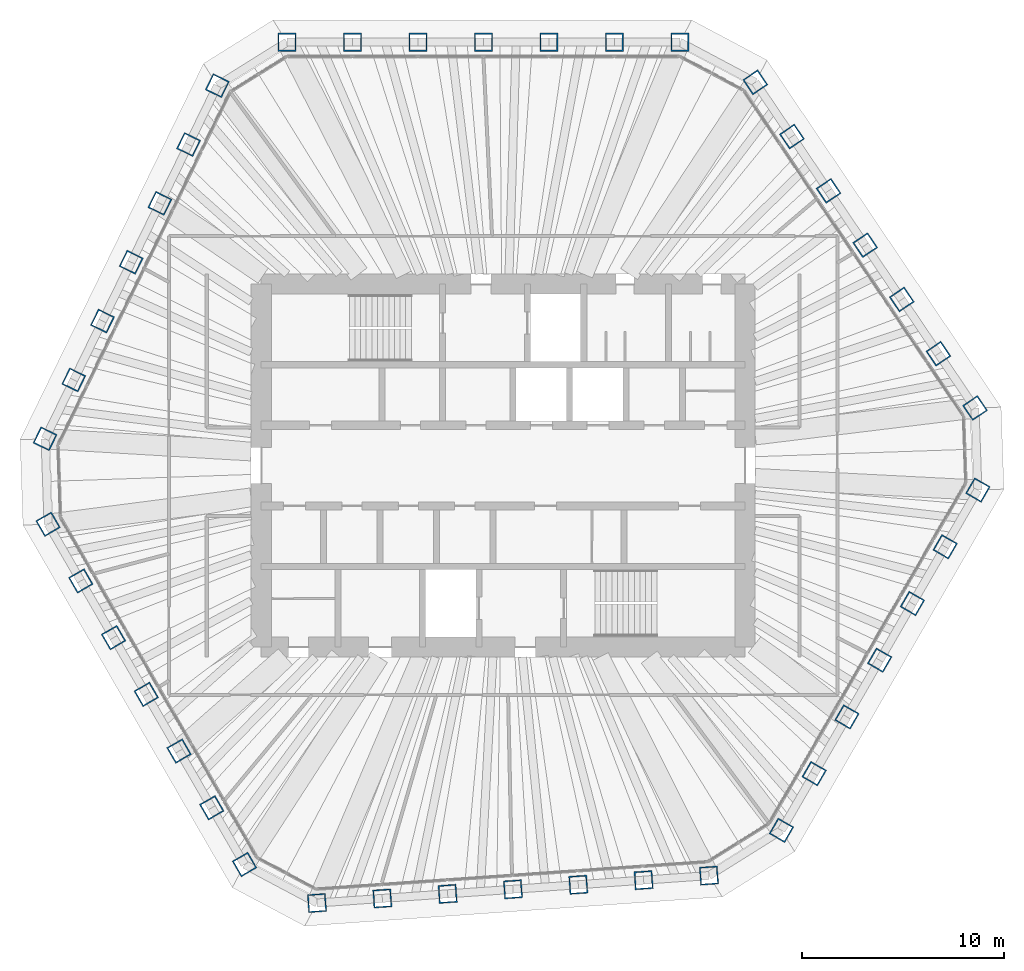
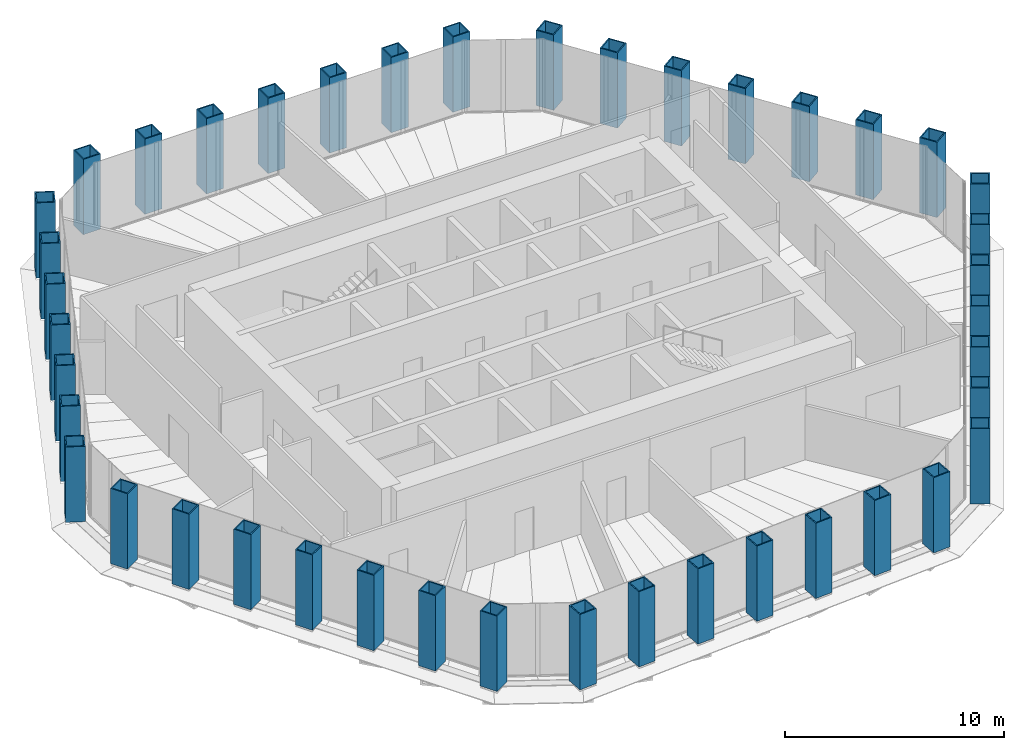
# One storey, part 1 of 14: 42 columns.
"""IFC4 building model written with IfcOpenShell, lengths in metres."""

from ifc_helpers import new_model, si_unit, direction, frame, origin, origin_2d, place, context, subcontext, project, spatial, hollow_rectangle, extrude, material, material_profile, profile_set, type_object, element, save


model = new_model("IFC4")

# Units and contexts
model_context = context("Model", 3, precision=1e-05, world=origin(), true_north=direction((0.0, 1.0)))
body_context = subcontext(model_context, "Body", "Model", "MODEL_VIEW")
ifc_project = project(units=[si_unit("LENGTHUNIT", "METRE"), si_unit("AREAUNIT", "SQUARE_METRE"), si_unit("VOLUMEUNIT", "CUBIC_METRE"), si_unit("PLANEANGLEUNIT", "RADIAN"), si_unit("MASSUNIT", "GRAM", prefix="KILO")], contexts=[model_context])

# Site, building, storey
site_placement = place(None, origin())
site = spatial("IfcSite", under=ifc_project, at=site_placement, CompositionType="ELEMENT")
building_placement = place(site_placement, origin())
building = spatial("IfcBuilding", under=site, at=building_placement, Name="Qingtian Harvest Tower", CompositionType="ELEMENT")
storey_placement = place(building_placement, frame((0.0, 0.0, 299.800048828125)))
storey = spatial("IfcBuildingStorey", under=building, at=storey_placement, Name="L66", CompositionType="ELEMENT", Elevation=299.800048828125)

# Columns
ifc_material = material(Name="Steel SM570MC", Category="steel")
ifc_material_profile = material_profile(ifc_material, hollow_rectangle(XDim=0.89990234375, YDim=0.89990234375, WallThickness=0.06005859375, at=origin_2d()), Name="BOX900x900x60")
ifc_profile_set = profile_set([ifc_material_profile], Name="Steel SM570MC")
column_type = type_object("IfcColumnType", Name="Tube column TC7 BOX900x900x60", PredefinedType="COLUMN", material=ifc_profile_set)
for number, where, z_axis, x_axis, name in (
    (1, (-10.72216796875, 21.0, 0.0), (0.0, 0.0, 1.0), (-1.0, 0.0, 0.0), "Tube column TC7 N0"),
    (2, (-7.47412109375, 21.0, 0.0), (0.0, 0.0, 1.0), (-1.0, 0.0, 0.0), "Tube column TC7 N1"),
    (3, (-4.226318359375, 21.0, 0.0), (0.0, 0.0, 1.0), (-1.0, 0.0, 0.0), "Tube column TC7 N2"),
    (4, (-0.978271484375, 21.0, 0.0), (0.0, 0.0, 1.0), (-1.0, 0.0, 0.0), "Tube column TC7 N3"),
    (5, (2.269775390625, 21.0, 0.0), (0.0, 0.0, 1.0), (-1.0, 0.0, 0.0), "Tube column TC7 N4"),
    (6, (5.517822265625, 21.0, 0.0), (0.0, 0.0, 1.0), (-1.0, 0.0, 0.0), "Tube column TC7 N5"),
    (7, (8.765869140625, 21.0, 0.0), (0.0, 0.0, 1.0), (-1.0, 0.0, 0.0), "Tube column TC7 N6"),
    (8, (12.508056640625, 19.01025390625, 0.0), (0.0, 0.0, 1.0), (-0.559192903471, 0.829037572555, 0.0), "Tube column TC7 NE0"),
    (9, (14.32421875, 16.317626953125, 0.0), (0.0, 0.0, 1.0), (-0.559192903471, 0.829037572555, 0.0), "Tube column TC7 NE1"),
    (10, (16.140625, 13.624755859375, 0.0), (0.0, 0.0, 1.0), (-0.559192903471, 0.829037572555, 0.0), "Tube column TC7 NE2"),
    (11, (17.956787109375, 10.93212890625, 0.0), (0.0, 0.0, 1.0), (-0.559192903471, 0.829037572555, 0.0), "Tube column TC7 NE3"),
    (12, (19.77294921875, 8.2392578125, 0.0), (0.0, 0.0, 1.0), (-0.559192903471, 0.829037572555, 0.0), "Tube column TC7 NE4"),
    (13, (21.58935546875, 5.546630859375, 0.0), (0.0, 0.0, 1.0), (-0.559192903471, 0.829037572555, 0.0), "Tube column TC7 NE5"),
    (14, (23.405517578125, 2.85400390625, 0.0), (0.0, 0.0, 1.0), (-0.559192903471, 0.829037572555, 0.0), "Tube column TC7 NE6"),
    (15, (23.547607421875, -1.21435546875, 0.0), (0.0, 0.0, 1.0), (0.5, 0.866025403784, 0.0), "Tube column TC7 SE0"),
    (16, (21.923583984375, -4.027099609375, 0.0), (0.0, 0.0, 1.0), (0.5, 0.866025403784, 0.0), "Tube column TC7 SE1"),
    (17, (20.299560546875, -6.840087890625, 0.0), (0.0, 0.0, 1.0), (0.5, 0.866025403784, 0.0), "Tube column TC7 SE2"),
    (18, (18.675537109375, -9.65283203125, 0.0), (0.0, 0.0, 1.0), (0.5, 0.866025403784, 0.0), "Tube column TC7 SE3"),
    (19, (17.051513671875, -12.4658203125, 0.0), (0.0, 0.0, 1.0), (0.5, 0.866025403784, 0.0), "Tube column TC7 SE4"),
    (20, (15.427490234375, -15.278564453125, 0.0), (0.0, 0.0, 1.0), (0.5, 0.866025403784, 0.0), "Tube column TC7 SE5"),
    (21, (13.803466796875, -18.091552734375, 0.0), (0.0, 0.0, 1.0), (0.5, 0.866025403784, 0.0), "Tube column TC7 SE6"),
    (22, (10.20947265625, -20.33740234375, 0.0), (0.0, 0.0, 1.0), (0.99756405026, 0.069756473744, 0.0), "Tube column TC7 S0"),
    (23, (6.96923828125, -20.56396484375, 0.0), (0.0, 0.0, 1.0), (0.99756405026, 0.069756473744, 0.0), "Tube column TC7 S1"),
    (24, (3.729248046875, -20.79052734375, 0.0), (0.0, 0.0, 1.0), (0.99756405026, 0.069756473744, 0.0), "Tube column TC7 S2"),
    (25, (0.489013671875, -21.01708984375, 0.0), (0.0, 0.0, 1.0), (0.99756405026, 0.069756473744, 0.0), "Tube column TC7 S3"),
    (26, (-2.7509765625, -21.24365234375, 0.0), (0.0, 0.0, 1.0), (0.99756405026, 0.069756473744, 0.0), "Tube column TC7 S4"),
    (27, (-5.9912109375, -21.47021484375, 0.0), (0.0, 0.0, 1.0), (0.99756405026, 0.069756473744, 0.0), "Tube column TC7 S5"),
    (28, (-9.231201171875, -21.69677734375, 0.0), (0.0, 0.0, 1.0), (0.99756405026, 0.069756473744, 0.0), "Tube column TC7 S6"),
    (29, (-12.825439453125, -19.78564453125, 0.0), (0.0, 0.0, 1.0), (0.5, -0.866025403784, 0.0), "Tube column TC7 SW0"),
    (30, (-14.449462890625, -16.972900390625, 0.0), (0.0, 0.0, 1.0), (0.5, -0.866025403784, 0.0), "Tube column TC7 SW1"),
    (31, (-16.073486328125, -14.159912109375, 0.0), (0.0, 0.0, 1.0), (0.5, -0.866025403784, 0.0), "Tube column TC7 SW2"),
    (32, (-17.697509765625, -11.34716796875, 0.0), (0.0, 0.0, 1.0), (0.5, -0.866025403784, 0.0), "Tube column TC7 SW3"),
    (33, (-19.321533203125, -8.5341796875, 0.0), (0.0, 0.0, 1.0), (0.5, -0.866025403784, 0.0), "Tube column TC7 SW4"),
    (34, (-20.945556640625, -5.721435546875, 0.0), (0.0, 0.0, 1.0), (0.5, -0.866025403784, 0.0), "Tube column TC7 SW5"),
    (35, (-22.569580078125, -2.908447265625, 0.0), (0.0, 0.0, 1.0), (0.5, -0.866025403784, 0.0), "Tube column TC7 SW6"),
    (36, (-22.71728515625, 1.3271484375, 0.0), (0.0, 0.0, 1.0), (-0.438371146789, -0.898794046299, 0.0), "Tube column TC7 NW0"),
    (37, (-21.29345703125, 4.246337890625, 0.0), (0.0, 0.0, 1.0), (-0.438371146789, -0.898794046299, 0.0), "Tube column TC7 NW1"),
    (38, (-19.86962890625, 7.165771484375, 0.0), (0.0, 0.0, 1.0), (-0.438371146789, -0.898794046299, 0.0), "Tube column TC7 NW2"),
    (39, (-18.44580078125, 10.0849609375, 0.0), (0.0, 0.0, 1.0), (-0.438371146789, -0.898794046299, 0.0), "Tube column TC7 NW3"),
    (40, (-17.02197265625, 13.00439453125, 0.0), (0.0, 0.0, 1.0), (-0.438371146789, -0.898794046299, 0.0), "Tube column TC7 NW4"),
    (41, (-15.59814453125, 15.923583984375, 0.0), (0.0, 0.0, 1.0), (-0.438371146789, -0.898794046299, 0.0), "Tube column TC7 NW5"),
    (42, (-14.17431640625, 18.8427734375, 0.0), (0.0, 0.0, 1.0), (-0.438371146789, -0.898794046299, 0.0), "Tube column TC7 NW6"),
):
    element("IfcColumn", number, at=place(storey_placement, frame(where, z_axis=z_axis, x_axis=x_axis)), inside=storey, type_object=column_type, Name=name, PredefinedType="COLUMN", context=body_context, shape_type="SweptSolid", body=[
        extrude(hollow_rectangle(XDim=0.89990234375, YDim=0.89990234375, WallThickness=0.06005859375, at=origin_2d()), origin(), (0.0, 0.0, 1.0), 4.199951171875),
    ])

save(model, "model.ifc")
